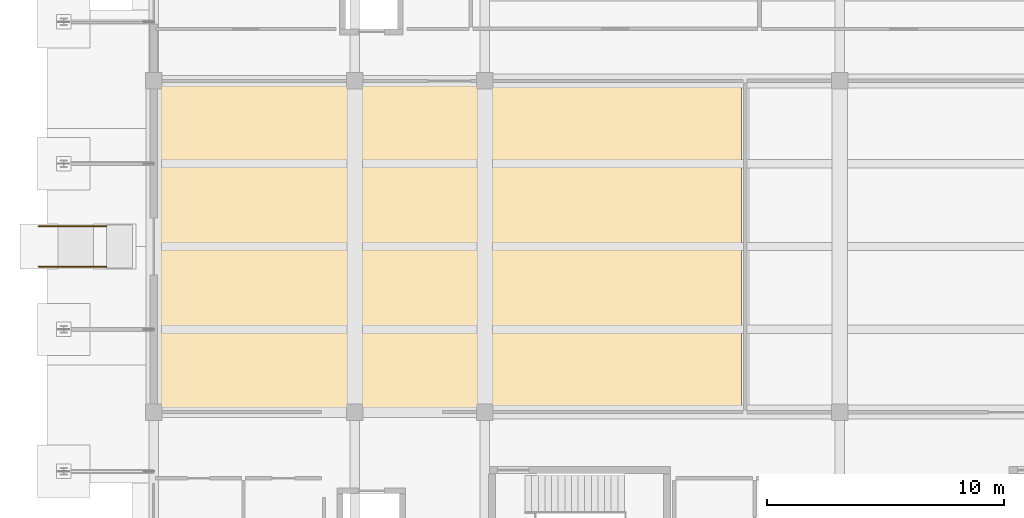
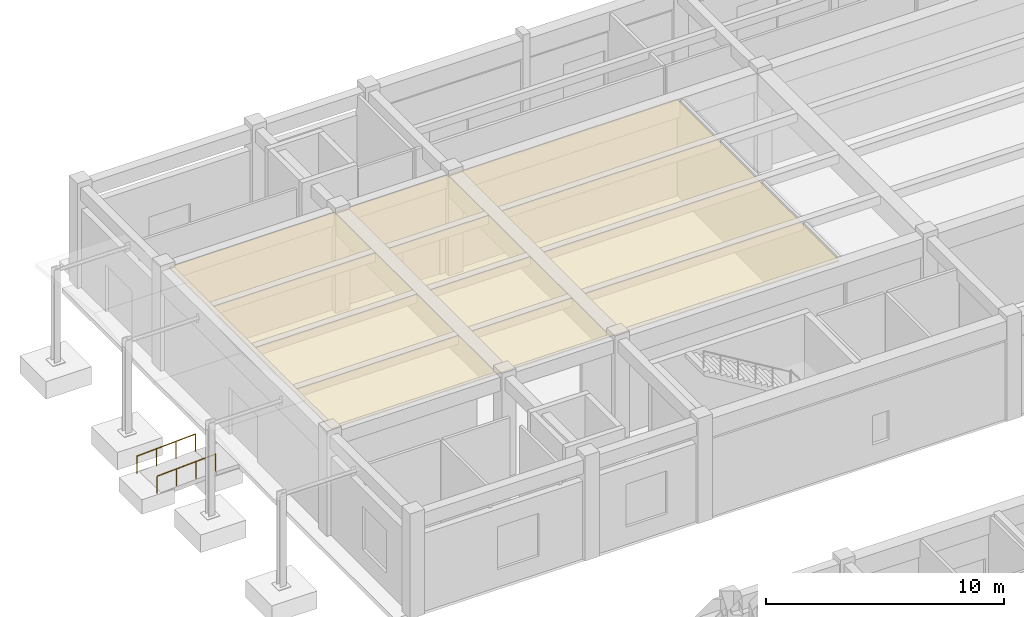
# One storey, part 34 of 40: 2 railings, 1 covering.
"""IFC4 building model written with IfcOpenShell, lengths in metres."""

from ifc_helpers import new_model, si_unit, direction, frame, origin, origin_2d, place, context, subcontext, project, spatial, polyline, circle, outline, extrude, material, layer, layer_set, type_object, element, save


model = new_model("IFC4")

# Units and contexts
model_context = context("Model", 3, precision=1e-05, world=origin(), true_north=direction((0.0, 1.0)))
body_context = subcontext(model_context, "Body", "Model", "MODEL_VIEW")
ifc_project = project(units=[si_unit("LENGTHUNIT", "METRE"), si_unit("AREAUNIT", "SQUARE_METRE"), si_unit("VOLUMEUNIT", "CUBIC_METRE"), si_unit("PLANEANGLEUNIT", "RADIAN"), si_unit("MASSUNIT", "GRAM", prefix="KILO")], contexts=[model_context])

# Site, building, storey
site_placement = place(None, origin())
site = spatial("IfcSite", under=ifc_project, at=site_placement, CompositionType="ELEMENT")
building_placement = place(site_placement, origin())
building = spatial("IfcBuilding", under=site, at=building_placement, Name="Naurynzar Civic Courthouse", CompositionType="ELEMENT")
storey_placement = place(building_placement, origin())
storey = spatial("IfcBuildingStorey", under=building, at=storey_placement, Name="L01", CompositionType="ELEMENT", Elevation=0.0)

# Covering
ifc_material_1 = material(Name="Acoustic Oak Timber Grade A", Category="wood")
ifc_layer = layer(ifc_material_1, 0.044921875)
ifc_layer_set = layer_set([ifc_layer], Name="CEIL-ACOUSTIC-OAK-45")
covering_type = type_object("IfcCoveringType", Name="CEIL-ACOUSTIC-OAK-45", PredefinedType="CEILING", material=ifc_layer_set)
covering_placement = place(storey_placement, frame((0.0, 0.0, 5.014892578125)))
element("IfcCovering", 1, at=covering_placement, inside=storey, type_object=covering_type, Name="Acoustic suspended ceiling Jury Assembly Hall", PredefinedType="CEILING", context=body_context, shape_type="SweptSolid", body=[
    extrude(outline(polyline([(6.159912109375, 51.159912109375), (6.159912109375, 64.840087890625), (30.840087890625, 64.840087890625), (30.840087890625, 51.159912109375), (6.159912109375, 51.159912109375)])), origin(), (0.0, 0.0, 1.0), 0.045166015625),
])

# Railings
ifc_material_2 = material(Name="Brushed Stainless Steel 304", Category="steel")
railing_type = type_object("IfcRailingType", Name="RAIL-HR-900", PredefinedType="HANDRAIL", material=ifc_material_2)
for number, where, name in (
    (2, (1.14990234375, 57.14990234375, -0.142578125), "Accessible ramp handrail RMP-01.1"),
    (3, (1.14990234375, 58.85009765625, -0.142578125), "Accessible ramp handrail RMP-01.2"),
):
    element("IfcRailing", number, at=place(storey_placement, frame(where)), inside=storey, type_object=railing_type, Name=name, PredefinedType="HANDRAIL", context=body_context, shape_type="SweptSolid", body=[
        extrude(circle(Radius=0.02392578125, at=origin_2d()), frame((0.0, 0.0, 0.8759765625), z_axis=(0.998751058448, 0.0, 0.04996321896), x_axis=(0.0, 1.0, 0.0)), (0.0, 0.0, 1.0), 2.853759765625),
        extrude(circle(Radius=0.02099609375, at=origin_2d()), origin(), (0.0, 0.0, 1.0), 0.851806640625),
        extrude(circle(Radius=0.02099609375, at=origin_2d()), frame((0.949951171875, 0.0, 0.047607421875)), (0.0, 0.0, 1.0), 0.851806640625),
        extrude(circle(Radius=0.02099609375, at=origin_2d()), frame((1.900146484375, 0.0, 0.094970703125)), (0.0, 0.0, 1.0), 0.851806640625),
        extrude(circle(Radius=0.02099609375, at=origin_2d()), frame((2.85009765625, 0.0, 0.142578125)), (0.0, 0.0, 1.0), 0.851806640625),
    ])

save(model, "model.ifc")
